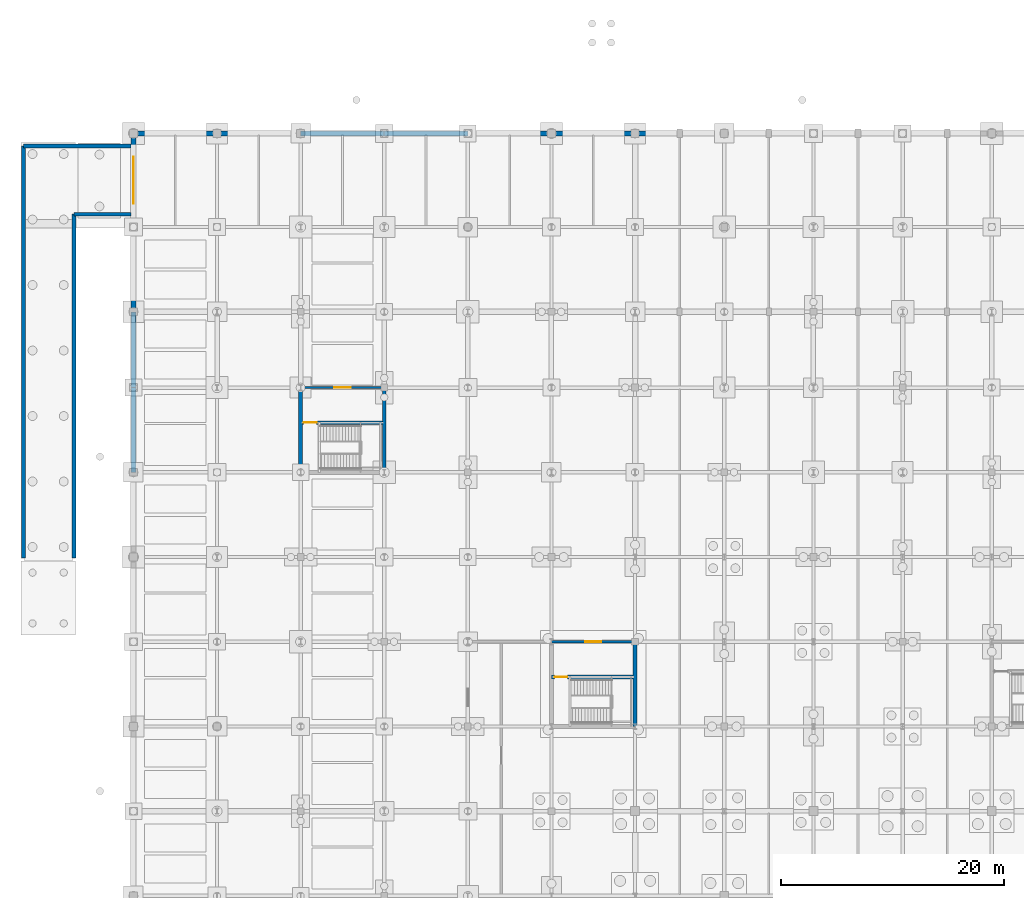
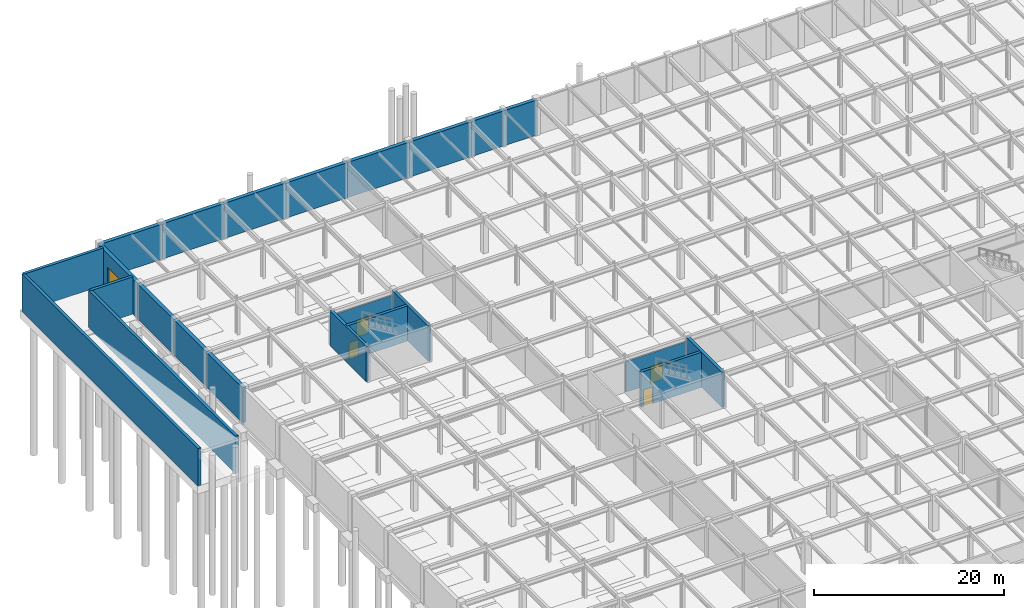
# One storey, part 44 of 53: 22 walls, 5 doors, 5 openings.
"""IFC4 building model written with IfcOpenShell, lengths in metres."""

import ifcopenshell
import ifcopenshell.guid

model = None  # the IFC model being written
_history = None  # IfcOwnerHistory: only IFC2X3 demands one
_inside = {}  # id of a spatial element -> (the spatial element, [elements in it])
_under = {}  # id of a project, library or spatial element -> (it, [spatial elements below it])
_declared = {}  # id of a project -> (the project, [libraries it declares])
_typed = {}  # id of a type object -> (the type object, [elements of that type])
_made_of = {}  # id of a material, layer set ... -> (it, [elements and type objects made of it])


def new_model(schema):
    """Start an empty IFC model of exactly this schema.

    Asked for "IFC4X3", IfcOpenShell would pick the latest addendum, in which some entities
    have other attributes; the version numbers below select the first issue.
    IFC2X3 requires an IfcOwnerHistory on every rooted entity: one is made here for all.
    """
    global model, _history
    if schema == "IFC4X3":
        model = ifcopenshell.file(schema_version=(4, 3, 0, 0))
    else:
        model = ifcopenshell.file(schema=schema)
    _inside.clear()
    _under.clear()
    _declared.clear()
    _typed.clear()
    _made_of.clear()
    _history = None
    if model.schema == "IFC2X3":
        org = make("IfcOrganization", Name="unknown")
        user = make(
            "IfcPersonAndOrganization",
            ThePerson=make("IfcPerson", FamilyName="unknown"),
            TheOrganization=org,
        )
        app = make(
            "IfcApplication",
            ApplicationDeveloper=org,
            Version="unknown",
            ApplicationFullName="unknown",
            ApplicationIdentifier="unknown",
        )
        _history = make(
            "IfcOwnerHistory",
            OwningUser=user,
            OwningApplication=app,
            ChangeAction="ADDED",
            CreationDate=0,
        )
    return model


def make(cls, **values):
    """One entity of the class cls with the attributes given. An attribute that is None is left unset."""
    return model.create_entity(
        cls, **{name: value for name, value in values.items() if value is not None}
    )


def rooted(cls, **values):
    """An entity with a GlobalId (a new one), such as an element, a storey or a relation."""
    return make(cls, GlobalId=ifcopenshell.guid.new(), OwnerHistory=_history, **values)


def si_unit(unit_type, name, prefix=None):
    """IfcSIUnit, for example si_unit("LENGTHUNIT", "METRE", prefix="MILLI")."""
    return make("IfcSIUnit", UnitType=unit_type, Prefix=prefix, Name=name)


def assignment(units):
    """IfcUnitAssignment: the units of a project."""
    return None if units is None else make("IfcUnitAssignment", Units=units)


def point(xyz):
    """IfcCartesianPoint."""
    return None if xyz is None else make("IfcCartesianPoint", Coordinates=xyz)


def direction(xyz):
    """IfcDirection."""
    return None if xyz is None else make("IfcDirection", DirectionRatios=xyz)


def frame(location, z_axis=None, x_axis=None):
    """IfcAxis2Placement3D, a coordinate frame: its origin and axes. An axis left out is left unset."""
    return make(
        "IfcAxis2Placement3D",
        Location=point(location),
        Axis=direction(z_axis),
        RefDirection=direction(x_axis),
    )


def frame_2d(location, x_axis=None):
    """IfcAxis2Placement2D, a coordinate frame in the plane: its origin and x axis."""
    return make(
        "IfcAxis2Placement2D", Location=point(location), RefDirection=direction(x_axis)
    )


def origin():
    """The frame at (0, 0, 0) with its axes left unset."""
    return frame((0.0, 0.0, 0.0))


def place(relative_to, where):
    """IfcLocalPlacement: puts the frame where relative to a parent placement (None: the world)."""
    return make(
        "IfcLocalPlacement", PlacementRelTo=relative_to, RelativePlacement=where
    )


def context(
    kind, dimensions, precision=None, world=None, true_north=None, identifier=None
):
    """IfcGeometricRepresentationContext, for example the 3D "Model" context."""
    return make(
        "IfcGeometricRepresentationContext",
        ContextIdentifier=identifier,
        ContextType=kind,
        CoordinateSpaceDimension=dimensions,
        Precision=precision,
        WorldCoordinateSystem=world,
        TrueNorth=true_north,
    )


def subcontext(parent, identifier, kind, view, scale=None):
    """IfcGeometricRepresentationSubContext, for example "Body" below "Model"."""
    return make(
        "IfcGeometricRepresentationSubContext",
        ContextIdentifier=identifier,
        ContextType=kind,
        ParentContext=parent,
        TargetScale=scale,
        TargetView=view,
    )


def project(units=None, contexts=None):
    """IfcProject with its units and contexts."""
    return rooted(
        "IfcProject",
        Name="project",
        RepresentationContexts=contexts,
        UnitsInContext=assignment(units),
    )


def spatial(cls, under=None, at=None, **own):
    """A site, building, storey or space (cls), placed at a placement, below another one or the project."""
    s = rooted(cls, ObjectPlacement=at, **own)
    if under is not None:
        _under.setdefault(under.id(), (under, []))[1].append(s)
    return s


def profile(cls, at=None, kind="AREA", **sizes):
    """A parametric profile (cls). Its sizes go by their IFC names, for example OverallWidth=200.0."""
    return make(cls, ProfileType=kind, Position=at, **sizes)


def rectangle(**sizes):
    """IfcRectangleProfileDef."""
    return profile("IfcRectangleProfileDef", **sizes)


def extrude(swept, where, along, depth):
    """IfcExtrudedAreaSolid: the profile swept, set in the frame where, extruded along a direction by depth."""
    return make(
        "IfcExtrudedAreaSolid",
        SweptArea=swept,
        Position=where,
        ExtrudedDirection=direction(along),
        Depth=depth,
    )


def shape(context_of_items, identifier, shape_type, items):
    """IfcShapeRepresentation: the items that make up one representation, for example the "Body"."""
    return make(
        "IfcShapeRepresentation",
        ContextOfItems=context_of_items,
        RepresentationIdentifier=identifier,
        RepresentationType=shape_type,
        Items=items,
    )


def material(Name=None, Category=None):
    """IfcMaterial."""
    return make("IfcMaterial", Name=Name, Category=Category)


def layer(
    of_material, thickness, ventilated=None, Name=None, Category=None, Priority=None
):
    """IfcMaterialLayer: one layer of a wall or slab, of a material (None: an air gap)."""
    return make(
        "IfcMaterialLayer",
        Material=of_material,
        LayerThickness=thickness,
        IsVentilated=ventilated,
        Name=Name,
        Category=Category,
        Priority=Priority,
    )


def layer_set(layers, Name=None):
    """IfcMaterialLayerSet."""
    return make("IfcMaterialLayerSet", MaterialLayers=layers, LayerSetName=Name)


def made_of(thing, what):
    """Note that an element or type object is made of a material, layer set ...; save() writes the relation."""
    if what is not None:
        _made_of.setdefault(what.id(), (what, []))[1].append(thing)
    return thing


def type_object(cls, material=None, **own):
    """A type object (cls), such as IfcWallType, which elements share."""
    return made_of(rooted(cls, **own), material)


def element(
    cls,
    number,
    at=None,
    inside=None,
    cuts=None,
    type_object=None,
    material=None,
    context=None,
    identifier="Body",
    shape_type=None,
    held_by="IfcProductDefinitionShape",
    body=None,
    shapes=None,
    **own,
):
    """One element of the class cls, such as IfcWall. Its Tag is "e" and its number.

    at: its placement. inside: the storey or other place that contains it. cuts: it is an
    opening in that element (IfcRelVoidsElement). A single representation is given by context,
    identifier, shape_type and body (its items); several are given by shapes. held_by: the class
    of the entity that holds the representations. save() writes the other relations.
    """
    e = rooted(cls, Tag="e%d" % number, ObjectPlacement=at, **own)
    if body is not None:
        shapes = [shape(context, identifier, shape_type, body)]
    if shapes is not None:
        e.Representation = make(held_by, Representations=shapes)
    if inside is not None:
        _inside.setdefault(inside.id(), (inside, []))[1].append(e)
    if cuts is not None:
        rooted(
            "IfcRelVoidsElement", RelatingBuildingElement=cuts, RelatedOpeningElement=e
        )
    if type_object is not None:
        _typed.setdefault(type_object.id(), (type_object, []))[1].append(e)
    return made_of(e, material)


def fill(opening, filler):
    """IfcRelFillsElement: the door or window that sits in an opening."""
    return rooted(
        "IfcRelFillsElement",
        RelatingOpeningElement=opening,
        RelatedBuildingElement=filler,
    )


def aggregate(whole, parts):
    """IfcRelAggregates: a whole, such as a stair, and the parts it consists of."""
    return rooted("IfcRelAggregates", RelatingObject=whole, RelatedObjects=parts)


def save(model, path):
    """Write the relations noted so far, then the file.

    IfcRelAggregates (storeys below a building ...), IfcRelContainedInSpatialStructure (elements
    in a storey), IfcRelDefinesByType, IfcRelAssociatesMaterial and IfcRelDeclares: one each for
    every whole, place, type object, material and project.
    """
    for whole, parts in _under.values():
        aggregate(whole, parts)
    for where, things in _inside.values():
        rooted(
            "IfcRelContainedInSpatialStructure",
            RelatedElements=things,
            RelatingStructure=where,
        )
    for kind, things in _typed.values():
        rooted("IfcRelDefinesByType", RelatedObjects=things, RelatingType=kind)
    for what, things in _made_of.values():
        rooted("IfcRelAssociatesMaterial", RelatedObjects=things, RelatingMaterial=what)
    for by, libraries in _declared.values():
        rooted("IfcRelDeclares", RelatingContext=by, RelatedDefinitions=libraries)
    model.write(path)


model = new_model("IFC4")

# Units and contexts
model_context = context("Model", 3, precision=1e-05, world=origin(), true_north=direction((0.0, 1.0)))
body_context = subcontext(model_context, "Body", "Model", "MODEL_VIEW")
ifc_project = project(units=[si_unit("LENGTHUNIT", "METRE"), si_unit("AREAUNIT", "SQUARE_METRE"), si_unit("VOLUMEUNIT", "CUBIC_METRE"), si_unit("PLANEANGLEUNIT", "RADIAN"), si_unit("MASSUNIT", "GRAM", prefix="KILO")], contexts=[model_context])

# Site, building, storey
site_placement = place(None, origin())
site = spatial("IfcSite", under=ifc_project, at=site_placement, CompositionType="ELEMENT")
building_placement = place(site_placement, origin())
building = spatial("IfcBuilding", under=site, at=building_placement, Name="Shalkamar Park Central Library", CompositionType="ELEMENT")
storey_placement = place(building_placement, frame((0.0, 0.0, -4.800048828125)))
storey = spatial("IfcBuildingStorey", under=building, at=storey_placement, Name="B1", CompositionType="ELEMENT", Elevation=-4.800048828125)

# Walls
ifc_material_1 = material(Name="Concrete C40/50", Category="concrete")
ifc_layer_1 = layer(ifc_material_1, 0.449951171875)
ifc_layer_set_1 = layer_set([ifc_layer_1], Name="Concrete C40/50")
wall_type_1 = type_object("IfcWallType", Name="Basement Retaining Shear Wall 450", PredefinedType="SHEAR", material=ifc_layer_set_1)
for number, where, z_axis, x_axis, name in (
    (1, (120.0, 354.0, 0.0), (0.0, 0.0, 1.0), (1.0, 0.0, 0.0), "Basement Retaining Wall N-01"),
    (2, (127.5, 354.0, 0.0), (0.0, 0.0, 1.0), (1.0, 0.0, 0.0), "Basement Retaining Wall N-02"),
    (3, (135.0, 354.0, 0.0), (0.0, 0.0, 1.0), (1.0, 0.0, 0.0), "Basement Retaining Wall N-03"),
    (4, (142.5, 354.0, 0.0), (0.0, 0.0, 1.0), (1.0, 0.0, 0.0), "Basement Retaining Wall N-04"),
    (5, (150.0, 354.0, 0.0), (0.0, 0.0, 1.0), (1.0, 0.0, 0.0), "Basement Retaining Wall N-05"),
    (6, (157.5, 354.0, 0.0), (0.0, 0.0, 1.0), (1.0, 0.0, 0.0), "Basement Retaining Wall N-06"),
):
    element("IfcWall", number, at=place(storey_placement, frame(where, z_axis=z_axis, x_axis=x_axis)), inside=storey, type_object=wall_type_1, Name=name, PredefinedType="SHEAR", context=body_context, shape_type="SweptSolid", body=[
        extrude(rectangle(XDim=7.5, YDim=0.449951171875, at=frame_2d((3.75, 0.0))), origin(), (0.0, 0.0, 1.0), 4.510009765625),
    ])
wall_1_placement = place(storey_placement, frame((165.0, 354.0, 0.0), z_axis=(0.0, 0.0, 1.0), x_axis=(1.0, 0.0, 0.0)))
element("IfcWall", 7, at=wall_1_placement, inside=storey, type_object=wall_type_1, Name="Basement Retaining Wall N-07", PredefinedType="SHEAR", context=body_context, shape_type="SweptSolid", body=[
    extrude(rectangle(XDim=8.0, YDim=0.449951171875, at=frame_2d((4.0, 0.0))), origin(), (0.0, 0.0, 1.0), 4.510009765625),
])
wall_2_placement = place(storey_placement, frame((120.0, 323.60009765625, 0.0), z_axis=(0.0, 0.0, 1.0), x_axis=(0.0, 1.0, 0.0)))
element("IfcWall", 8, at=wall_2_placement, inside=storey, type_object=wall_type_1, Name="Basement Retaining Wall W-M", PredefinedType="SHEAR", context=body_context, shape_type="SweptSolid", body=[
    extrude(rectangle(XDim=7.599853515625, YDim=0.449951171875, at=frame_2d((3.7998046875, 0.0))), origin(), (0.0, 0.0, 1.0), 4.510009765625),
])
wall_3_placement = place(storey_placement, frame((120.0, 331.199951171875, 0.0), z_axis=(0.0, 0.0, 1.0), x_axis=(0.0, 1.0, 0.0)))
element("IfcWall", 9, at=wall_3_placement, inside=storey, type_object=wall_type_1, Name="Basement Retaining Wall W-N", PredefinedType="SHEAR", context=body_context, shape_type="SweptSolid", body=[
    extrude(rectangle(XDim=6.800048828125, YDim=0.449951171875, at=frame_2d((3.39990234375, 0.0))), origin(), (0.0, 0.0, 1.0), 4.510009765625),
])
wall_4_placement = place(storey_placement, frame((120.0, 338.0, 0.0), z_axis=(0.0, 0.0, 1.0), x_axis=(0.0, 1.0, 0.0)))
element("IfcWall", 10, at=wall_4_placement, inside=storey, type_object=wall_type_1, Name="Basement Retaining Wall W-P", PredefinedType="SHEAR", context=body_context, shape_type="SweptSolid", body=[
    extrude(rectangle(XDim=7.60009765625, YDim=0.449951171875, at=frame_2d((3.800048828125, 0.0))), origin(), (0.0, 0.0, 1.0), 4.510009765625),
])

# Wall, opening, door
wall_5_placement = place(storey_placement, frame((120.0, 345.60009765625, 0.0), z_axis=(0.0, 0.0, 1.0), x_axis=(0.0, 1.0, 0.0)))
wall_5 = element("IfcWall", 11, at=wall_5_placement, inside=storey, type_object=wall_type_1, Name="Basement Retaining Wall W-Q", PredefinedType="SHEAR", context=body_context, shape_type="SweptSolid", body=[
    extrude(rectangle(XDim=8.39990234375, YDim=0.449951171875, at=frame_2d((4.199951171875, 0.0))), origin(), (0.0, 0.0, 1.0), 4.510009765625),
])
opening_1_placement = place(wall_5_placement, frame((2.10009765625, 0.0, 0.0)))
opening_1 = element("IfcOpeningElement", 12, at=opening_1_placement, cuts=wall_5, Name="Opening VD-B1-01", PredefinedType="OPENING", context=body_context, shape_type="SweptSolid", body=[
    extrude(rectangle(XDim=4.199951171875, YDim=2.800048828125, at=frame_2d((2.10009765625, 1.39990234375))), frame((0.0, 0.23974609375, 0.0), z_axis=(0.0, -1.0, 0.0), x_axis=(1.0, 0.0, 0.0)), (0.0, 0.0, 1.0), 0.479736328125),
])
ifc_material_2 = material(Name="Insulated steel vehicle roller shutter", Category="steel")
door_type_1 = type_object("IfcDoorType", Name="Car Park Vehicle Shutter 4200x2800", OperationType="DOUBLE_DOOR_SINGLE_SWING", PredefinedType="DOOR", material=ifc_material_2)
door_1_placement = place(opening_1_placement, origin())
door_1 = element("IfcDoor", 13, at=door_1_placement, inside=storey, type_object=door_type_1, Name="Basement Car Park Vehicle Entrance Shutter", OperationType="ROLLINGUP", OverallHeight=2.800048828125, OverallWidth=4.199951171875, PredefinedType="DOOR", context=body_context, shape_type="SweptSolid", body=[
    extrude(rectangle(XDim=4.199951171875, YDim=2.800048828125, at=frame_2d((2.10009765625, 1.39990234375))), frame((0.0, 0.02490234375, 0.0), z_axis=(0.0, -1.0, 0.0), x_axis=(1.0, 0.0, 0.0)), (0.0, 0.0, 1.0), 0.050048828125),
])
fill(opening_1, door_1)

ifc_material_3 = material(Name="Fire-rated corridor partition wall", Category="masonry")
ifc_layer_2 = layer(ifc_material_3, 0.199951171875)
ifc_layer_set_2 = layer_set([ifc_layer_2], Name="CorridorFireWall_200")
wall_type_2 = type_object("IfcWallType", Name="Corridor Fire Wall 200", PredefinedType="PARTITIONING", material=ifc_layer_set_2)
wall_6_placement = place(storey_placement, frame((157.5, 308.39990234375, 0.0), z_axis=(0.0, 0.0, 1.0), x_axis=(1.0, 0.0, 0.0)))
wall_6 = element("IfcWall", 14, at=wall_6_placement, inside=storey, type_object=wall_type_2, Name="CORE-P2 Vestibule North Wall (B1)", PredefinedType="PARTITIONING", context=body_context, shape_type="SweptSolid", body=[
    extrude(rectangle(XDim=7.5, YDim=0.199951171875, at=frame_2d((3.75, 0.0))), origin(), (0.0, 0.0, 1.0), 3.907958984375),
])
opening_2_placement = place(wall_6_placement, frame((3.02490234375, 0.0, 0.0)))
opening_2 = element("IfcOpeningElement", 15, at=opening_2_placement, cuts=wall_6, Name="Opening DR-ST-P2-B1-VEST", PredefinedType="OPENING", context=body_context, shape_type="SweptSolid", body=[
    extrude(rectangle(XDim=1.449951171875, YDim=2.199951171875, at=frame_2d((0.72509765625, 1.10009765625))), frame((0.0, 0.11474609375, 0.0), z_axis=(0.0, -1.0, 0.0), x_axis=(1.0, 0.0, 0.0)), (0.0, 0.0, 1.0), 0.229736328125),
])
ifc_material_4 = material(Name="Steel S355", Category="steel")
door_type_2 = type_object("IfcDoorType", Name="Stair Vestibule Door 1450x2200", OperationType="DOUBLE_DOOR_SINGLE_SWING", PredefinedType="DOOR", material=ifc_material_4)
door_2_placement = place(opening_2_placement, frame((1.449951171875, 0.0, 0.0), z_axis=(0.0, 0.0, 1.0), x_axis=(-1.0, 0.0, 0.0)))
door_2 = element("IfcDoor", 16, at=door_2_placement, inside=storey, type_object=door_type_2, Name="Protected Stair ST-P2 Vestibule Door (B1)", OperationType="DOUBLE_DOOR_SINGLE_SWING", OverallHeight=2.199951171875, OverallWidth=1.449951171875, PredefinedType="DOOR", context=body_context, shape_type="SweptSolid", body=[
    extrude(rectangle(XDim=1.449951171875, YDim=2.199951171875, at=frame_2d((0.72509765625, 1.10009765625))), frame((0.0, 0.02490234375, 0.0), z_axis=(0.0, -1.0, 0.0), x_axis=(1.0, 0.0, 0.0)), (0.0, 0.0, 1.0), 0.050048828125),
])
fill(opening_2, door_2)

wall_7_placement = place(storey_placement, frame((135.0, 331.199951171875, 0.0), z_axis=(0.0, 0.0, 1.0), x_axis=(1.0, 0.0, 0.0)))
wall_7 = element("IfcWall", 17, at=wall_7_placement, inside=storey, type_object=wall_type_2, Name="CORE-P5 Vestibule North Wall (B1)", PredefinedType="PARTITIONING", context=body_context, shape_type="SweptSolid", body=[
    extrude(rectangle(XDim=7.5, YDim=0.199951171875, at=frame_2d((3.75, 0.0))), origin(), (0.0, 0.0, 1.0), 3.907958984375),
])
opening_3_placement = place(wall_7_placement, frame((3.02490234375, 0.0, 0.0)))
opening_3 = element("IfcOpeningElement", 18, at=opening_3_placement, cuts=wall_7, Name="Opening DR-ST-P5-B1-VEST", PredefinedType="OPENING", context=body_context, shape_type="SweptSolid", body=[
    extrude(rectangle(XDim=1.449951171875, YDim=2.199951171875, at=frame_2d((0.72509765625, 1.10009765625))), frame((0.0, 0.11474609375, 0.0), z_axis=(0.0, -1.0, 0.0), x_axis=(1.0, 0.0, 0.0)), (0.0, 0.0, 1.0), 0.229736328125),
])
door_3_placement = place(opening_3_placement, frame((1.449951171875, 0.0, 0.0), z_axis=(0.0, 0.0, 1.0), x_axis=(-1.0, 0.0, 0.0)))
door_3 = element("IfcDoor", 19, at=door_3_placement, inside=storey, type_object=door_type_2, Name="Protected Stair ST-P5 Vestibule Door (B1)", OperationType="DOUBLE_DOOR_SINGLE_SWING", OverallHeight=2.199951171875, OverallWidth=1.449951171875, PredefinedType="DOOR", context=body_context, shape_type="SweptSolid", body=[
    extrude(rectangle(XDim=1.449951171875, YDim=2.199951171875, at=frame_2d((0.72509765625, 1.10009765625))), frame((0.0, 0.02490234375, 0.0), z_axis=(0.0, -1.0, 0.0), x_axis=(1.0, 0.0, 0.0)), (0.0, 0.0, 1.0), 0.050048828125),
])
fill(opening_3, door_3)

# Walls
ifc_layer_3 = layer(ifc_material_1, 0.35009765625)
ifc_layer_set_3 = layer_set([ifc_layer_3], Name="Concrete C40/50")
wall_type_3 = type_object("IfcWallType", Name="Podium Core Shear Wall 350", PredefinedType="SHEAR", material=ifc_layer_set_3)
wall_8_placement = place(storey_placement, frame((110.125, 315.89990234375, 0.0), z_axis=(0.0, 0.0, 1.0), x_axis=(0.0, 1.0, 0.0)))
element("IfcWall", 20, at=wall_8_placement, inside=storey, type_object=wall_type_3, Name="Vehicle Ramp Retaining Wall WL-VRM-W", PredefinedType="SHEAR", context=body_context, shape_type="SweptSolid", body=[
    extrude(rectangle(XDim=36.97509765625, YDim=0.35009765625, at=frame_2d((18.487548828125, 0.0))), origin(), (0.0, 0.0, 1.0), 4.800048828125),
])
wall_9_placement = place(storey_placement, frame((110.125, 352.875, 0.0), z_axis=(0.0, 0.0, 1.0), x_axis=(1.0, 0.0, 0.0)))
element("IfcWall", 21, at=wall_9_placement, inside=storey, type_object=wall_type_3, Name="Vehicle Ramp Retaining Wall WL-VRM-N", PredefinedType="SHEAR", context=body_context, shape_type="SweptSolid", body=[
    extrude(rectangle(XDim=9.64501953125, YDim=0.35009765625, at=frame_2d((4.822509765625, 0.0))), origin(), (0.0, 0.0, 1.0), 4.800048828125),
])
wall_10_placement = place(storey_placement, frame((114.675048828125, 315.89990234375, 0.0), z_axis=(0.0, 0.0, 1.0), x_axis=(0.0, 1.0, 0.0)))
element("IfcWall", 22, at=wall_10_placement, inside=storey, type_object=wall_type_3, Name="Vehicle Ramp Retaining Wall WL-VRM-E", PredefinedType="SHEAR", context=body_context, shape_type="SweptSolid", body=[
    extrude(rectangle(XDim=30.85009765625, YDim=0.35009765625, at=frame_2d((15.425048828125, 0.0))), origin(), (0.0, 0.0, 1.0), 4.800048828125),
])
wall_11_placement = place(storey_placement, frame((114.675048828125, 346.75, 0.0), z_axis=(0.0, 0.0, 1.0), x_axis=(1.0, 0.0, 0.0)))
element("IfcWall", 23, at=wall_11_placement, inside=storey, type_object=wall_type_3, Name="Vehicle Ramp Retaining Wall WL-VRM-S", PredefinedType="SHEAR", context=body_context, shape_type="SweptSolid", body=[
    extrude(rectangle(XDim=5.094970703125, YDim=0.35009765625, at=frame_2d((2.54736328125, 0.0))), origin(), (0.0, 0.0, 1.0), 4.800048828125),
])
wall_12_placement = place(storey_placement, frame((165.0, 300.800048828125, 0.0), z_axis=(0.0, 0.0, 1.0), x_axis=(0.0, 1.0, 0.0)))
element("IfcWall", 24, at=wall_12_placement, inside=storey, type_object=wall_type_3, Name="CORE-P2 East Shear Wall (B1)", PredefinedType="SHEAR", context=body_context, shape_type="SweptSolid", body=[
    extrude(rectangle(XDim=7.599853515625, YDim=0.35009765625, at=frame_2d((3.7998046875, 0.0))), origin(), (0.0, 0.0, 1.0), 4.510009765625),
])

# Wall, opening, door
wall_13_placement = place(storey_placement, frame((157.5, 305.25, 0.0), z_axis=(0.0, 0.0, 1.0), x_axis=(1.0, 0.0, 0.0)))
wall_13 = element("IfcWall", 25, at=wall_13_placement, inside=storey, type_object=wall_type_3, Name="CORE-P2 Stairwell Wall (B1)", PredefinedType="SHEAR", context=body_context, shape_type="SweptSolid", body=[
    extrude(rectangle(XDim=7.5, YDim=0.35009765625, at=frame_2d((3.75, 0.0))), origin(), (0.0, 0.0, 1.0), 4.510009765625),
])
opening_4_placement = place(wall_13_placement, frame((0.27490234375, 0.0, 0.0)))
opening_4 = element("IfcOpeningElement", 26, at=opening_4_placement, cuts=wall_13, Name="Opening DR-ST-P2-B1-IN", PredefinedType="OPENING", context=body_context, shape_type="SweptSolid", body=[
    extrude(rectangle(XDim=1.14990234375, YDim=2.14990234375, at=frame_2d((0.574951171875, 1.074951171875))), frame((0.0, 0.18994140625, 0.0), z_axis=(0.0, -1.0, 0.0), x_axis=(1.0, 0.0, 0.0)), (0.0, 0.0, 1.0), 0.3798828125),
])
door_type_3 = type_object("IfcDoorType", Name="Stair Core Exit Door 1150x2150", OperationType="NOTDEFINED", PredefinedType="DOOR", material=ifc_material_4)
door_4_placement = place(opening_4_placement, frame((1.14990234375, 0.0, 0.0), z_axis=(0.0, 0.0, 1.0), x_axis=(-1.0, 0.0, 0.0)))
door_4 = element("IfcDoor", 27, at=door_4_placement, inside=storey, type_object=door_type_3, Name="Protected Stair ST-P2 Exit Door (B1)", OperationType="SINGLE_SWING_RIGHT", OverallHeight=2.14990234375, OverallWidth=1.14990234375, PredefinedType="DOOR", context=body_context, shape_type="SweptSolid", body=[
    extrude(rectangle(XDim=1.14990234375, YDim=2.14990234375, at=frame_2d((0.574951171875, 1.074951171875))), frame((0.0, 0.02490234375, 0.0), z_axis=(0.0, -1.0, 0.0), x_axis=(1.0, 0.0, 0.0)), (0.0, 0.0, 1.0), 0.050048828125),
])
fill(opening_4, door_4)

# Walls
for number, where, z_axis, x_axis, name in (
    (28, (135.0, 323.60009765625, 0.0), (0.0, 0.0, 1.0), (0.0, 1.0, 0.0), "CORE-P5 West Shear Wall (B1)"),
    (29, (142.5, 323.60009765625, 0.0), (0.0, 0.0, 1.0), (0.0, 1.0, 0.0), "CORE-P5 East Shear Wall (B1)"),
):
    element("IfcWall", number, at=place(storey_placement, frame(where, z_axis=z_axis, x_axis=x_axis)), inside=storey, type_object=wall_type_3, Name=name, PredefinedType="SHEAR", context=body_context, shape_type="SweptSolid", body=[
        extrude(rectangle(XDim=7.599853515625, YDim=0.35009765625, at=frame_2d((3.7998046875, 0.0))), origin(), (0.0, 0.0, 1.0), 4.510009765625),
    ])

# Wall, opening, door
wall_14_placement = place(storey_placement, frame((135.0, 328.050048828125, 0.0), z_axis=(0.0, 0.0, 1.0), x_axis=(1.0, 0.0, 0.0)))
wall_14 = element("IfcWall", 30, at=wall_14_placement, inside=storey, type_object=wall_type_3, Name="CORE-P5 Stairwell Wall (B1)", PredefinedType="SHEAR", context=body_context, shape_type="SweptSolid", body=[
    extrude(rectangle(XDim=7.5, YDim=0.35009765625, at=frame_2d((3.75, 0.0))), origin(), (0.0, 0.0, 1.0), 4.510009765625),
])
opening_5_placement = place(wall_14_placement, frame((0.27490234375, 0.0, 0.0)))
opening_5 = element("IfcOpeningElement", 31, at=opening_5_placement, cuts=wall_14, Name="Opening DR-ST-P5-B1-IN", PredefinedType="OPENING", context=body_context, shape_type="SweptSolid", body=[
    extrude(rectangle(XDim=1.14990234375, YDim=2.14990234375, at=frame_2d((0.574951171875, 1.074951171875))), frame((0.0, 0.18994140625, 0.0), z_axis=(0.0, -1.0, 0.0), x_axis=(1.0, 0.0, 0.0)), (0.0, 0.0, 1.0), 0.3798828125),
])
door_5_placement = place(opening_5_placement, frame((1.14990234375, 0.0, 0.0), z_axis=(0.0, 0.0, 1.0), x_axis=(-1.0, 0.0, 0.0)))
door_5 = element("IfcDoor", 32, at=door_5_placement, inside=storey, type_object=door_type_3, Name="Protected Stair ST-P5 Exit Door (B1)", OperationType="SINGLE_SWING_RIGHT", OverallHeight=2.14990234375, OverallWidth=1.14990234375, PredefinedType="DOOR", context=body_context, shape_type="SweptSolid", body=[
    extrude(rectangle(XDim=1.14990234375, YDim=2.14990234375, at=frame_2d((0.574951171875, 1.074951171875))), frame((0.0, 0.02490234375, 0.0), z_axis=(0.0, -1.0, 0.0), x_axis=(1.0, 0.0, 0.0)), (0.0, 0.0, 1.0), 0.050048828125),
])
fill(opening_5, door_5)

save(model, "model.ifc")
